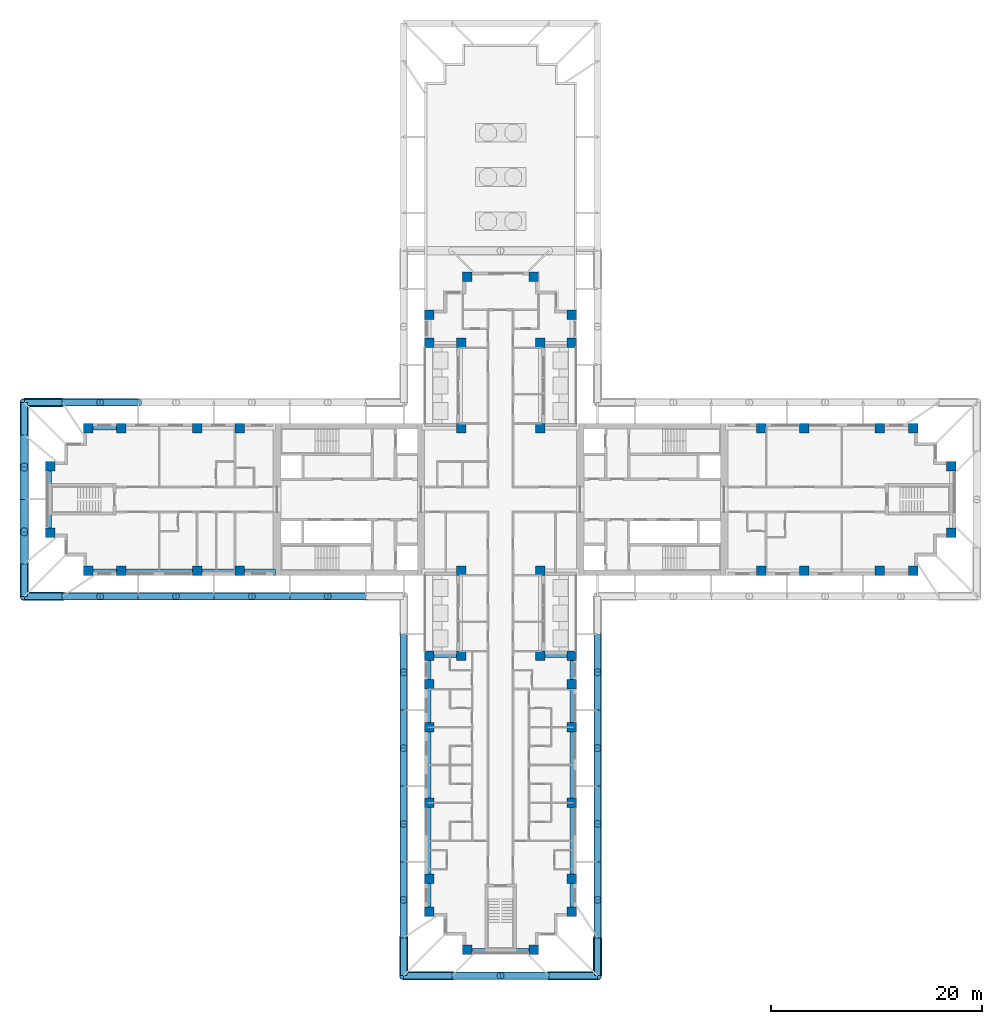
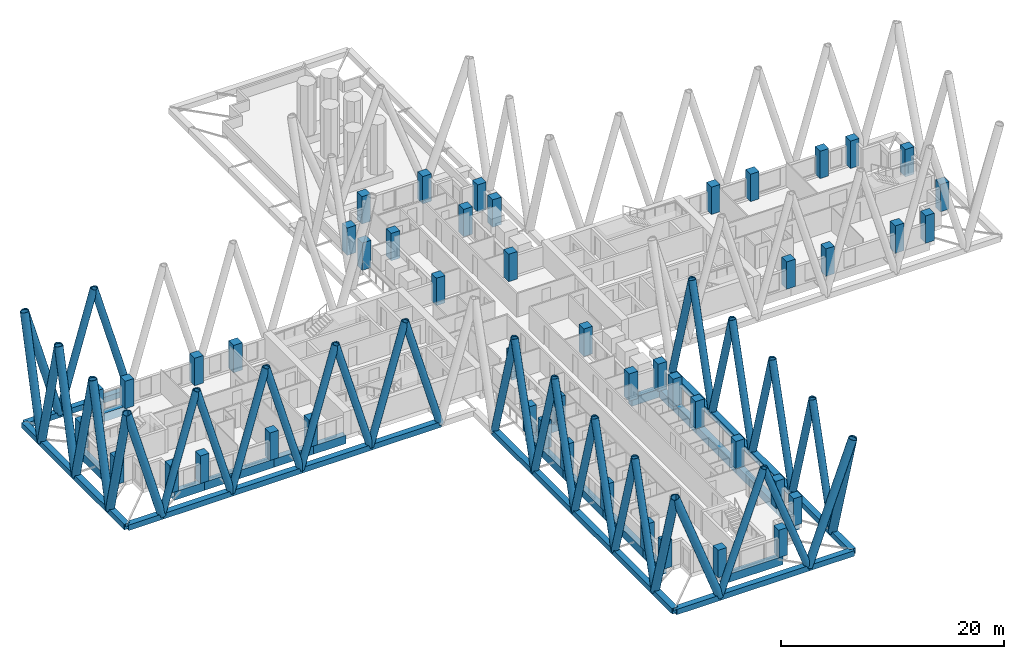
# One storey, part 1 of 16: 64 members, 48 columns, 19 beams.
"""IFC4 building model written with IfcOpenShell, lengths in metres."""

from ifc_helpers import new_model, si_unit, direction, frame, origin, origin_2d, place, context, subcontext, project, spatial, rectangle, hollow_rectangle, hollow_circle, extrude, material, material_profile, profile_set, type_object, element, save


model = new_model("IFC4")

# Units and contexts
model_context = context("Model", 3, precision=1e-05, world=origin(), true_north=direction((0.0, 1.0)))
body_context = subcontext(model_context, "Body", "Model", "MODEL_VIEW")
ifc_project = project(units=[si_unit("LENGTHUNIT", "METRE"), si_unit("AREAUNIT", "SQUARE_METRE"), si_unit("VOLUMEUNIT", "CUBIC_METRE"), si_unit("PLANEANGLEUNIT", "RADIAN"), si_unit("MASSUNIT", "GRAM", prefix="KILO")], contexts=[model_context])

# Site, building, storey
site_placement = place(None, origin())
site = spatial("IfcSite", under=ifc_project, at=site_placement, CompositionType="ELEMENT")
building_placement = place(site_placement, origin())
building = spatial("IfcBuilding", under=site, at=building_placement, Name="Fustian Cross Tower", CompositionType="ELEMENT")
storey_placement = place(building_placement, frame((0.0, 0.0, 66.89990234375)))
storey = spatial("IfcBuildingStorey", under=building, at=storey_placement, Name="L20", CompositionType="ELEMENT", Elevation=66.89990234375)

# Columns
ifc_material_1 = material(Name="Concrete C60/75", Category="concrete")
ifc_material_profile_1 = material_profile(ifc_material_1, rectangle(XDim=0.89990234375, YDim=0.89990234375, at=origin_2d()), Name="RC 900x900")
ifc_profile_set_1 = profile_set([ifc_material_profile_1], Name="Concrete C60/75")
column_type = type_object("IfcColumnType", Name="COLUMN RC 900x900 C60/75", PredefinedType="COLUMN", material=ifc_profile_set_1)
for number, where, z_axis, x_axis, name in (
    (1, (-42.75, -3.14990234375, 0.0), (0.0, 0.0, 1.0), (1.0, 0.0, 0.0), "COLUMN 001"),
    (2, (-42.75, 3.14990234375, 0.0), (0.0, 0.0, 1.0), (1.0, 0.0, 0.0), "COLUMN 002"),
    (3, (-39.14990234375, -6.75, 0.0), (0.0, 0.0, 1.0), (1.0, 0.0, 0.0), "COLUMN 003"),
    (4, (-39.14990234375, 6.75, 0.0), (0.0, 0.0, 1.0), (1.0, 0.0, 0.0), "COLUMN 004"),
    (5, (-36.0, -6.75, 0.0), (0.0, 0.0, 1.0), (1.0, 0.0, 0.0), "COLUMN 005"),
    (6, (-36.0, 6.75, 0.0), (0.0, 0.0, 1.0), (1.0, 0.0, 0.0), "COLUMN 006"),
    (7, (-28.800048828125, -6.75, 0.0), (0.0, 0.0, 1.0), (1.0, 0.0, 0.0), "COLUMN 007"),
    (8, (-28.800048828125, 6.75, 0.0), (0.0, 0.0, 1.0), (1.0, 0.0, 0.0), "COLUMN 010"),
    (9, (-24.75, -6.75, 0.0), (0.0, 0.0, 1.0), (1.0, 0.0, 0.0), "COLUMN 011"),
    (10, (-24.75, 6.75, 0.0), (0.0, 0.0, 1.0), (1.0, 0.0, 0.0), "COLUMN 012"),
    (11, (-6.75, -39.14990234375, 0.0), (0.0, 0.0, 1.0), (1.0, 0.0, 0.0), "COLUMN 013"),
    (12, (-6.75, -36.0, 0.0), (0.0, 0.0, 1.0), (1.0, 0.0, 0.0), "COLUMN 014"),
    (13, (-6.75, -28.800048828125, 0.0), (0.0, 0.0, 1.0), (1.0, 0.0, 0.0), "COLUMN 015"),
    (14, (-6.75, -21.60009765625, 0.0), (0.0, 0.0, 1.0), (1.0, 0.0, 0.0), "COLUMN 016"),
    (15, (-6.75, -17.550048828125, 0.0), (0.0, 0.0, 1.0), (1.0, 0.0, 0.0), "COLUMN 017"),
    (16, (-6.75, -14.85009765625, 0.0), (0.0, 0.0, 1.0), (1.0, 0.0, 0.0), "COLUMN 018"),
    (17, (-6.75, 14.85009765625, 0.0), (0.0, 0.0, 1.0), (1.0, 0.0, 0.0), "COLUMN 019"),
    (18, (-6.75, 17.550048828125, 0.0), (0.0, 0.0, 1.0), (1.0, 0.0, 0.0), "COLUMN 020"),
    (19, (-3.75, -14.85009765625, 0.0), (0.0, 0.0, 1.0), (1.0, 0.0, 0.0), "COLUMN 025"),
    (20, (-3.75, -6.75, 0.0), (0.0, 0.0, 1.0), (1.0, 0.0, 0.0), "COLUMN 026"),
    (21, (-3.75, 6.75, 0.0), (0.0, 0.0, 1.0), (1.0, 0.0, 0.0), "COLUMN 027"),
    (22, (-3.75, 14.85009765625, 0.0), (0.0, 0.0, 1.0), (1.0, 0.0, 0.0), "COLUMN 028"),
    (23, (-3.14990234375, -42.75, 0.0), (0.0, 0.0, 1.0), (1.0, 0.0, 0.0), "COLUMN 029"),
    (24, (-3.14990234375, 21.14990234375, 0.0), (0.0, 0.0, 1.0), (1.0, 0.0, 0.0), "COLUMN 031"),
    (25, (3.14990234375, -42.75, 0.0), (0.0, 0.0, 1.0), (1.0, 0.0, 0.0), "COLUMN 033"),
    (26, (3.14990234375, 21.14990234375, 0.0), (0.0, 0.0, 1.0), (1.0, 0.0, 0.0), "COLUMN 035"),
    (27, (3.75, -14.85009765625, 0.0), (0.0, 0.0, 1.0), (1.0, 0.0, 0.0), "COLUMN 037"),
    (28, (3.75, -6.75, 0.0), (0.0, 0.0, 1.0), (1.0, 0.0, 0.0), "COLUMN 038"),
    (29, (3.75, 6.75, 0.0), (0.0, 0.0, 1.0), (1.0, 0.0, 0.0), "COLUMN 039"),
    (30, (3.75, 14.85009765625, 0.0), (0.0, 0.0, 1.0), (1.0, 0.0, 0.0), "COLUMN 040"),
    (31, (6.75, -39.14990234375, 0.0), (0.0, 0.0, 1.0), (1.0, 0.0, 0.0), "COLUMN 041"),
    (32, (6.75, -36.0, 0.0), (0.0, 0.0, 1.0), (1.0, 0.0, 0.0), "COLUMN 042"),
    (33, (6.75, -28.800048828125, 0.0), (0.0, 0.0, 1.0), (1.0, 0.0, 0.0), "COLUMN 043"),
    (34, (6.75, -21.60009765625, 0.0), (0.0, 0.0, 1.0), (1.0, 0.0, 0.0), "COLUMN 044"),
    (35, (6.75, -17.550048828125, 0.0), (0.0, 0.0, 1.0), (1.0, 0.0, 0.0), "COLUMN 045"),
    (36, (6.75, -14.85009765625, 0.0), (0.0, 0.0, 1.0), (1.0, 0.0, 0.0), "COLUMN 046"),
    (37, (6.75, 14.85009765625, 0.0), (0.0, 0.0, 1.0), (1.0, 0.0, 0.0), "COLUMN 047"),
    (38, (6.75, 17.550048828125, 0.0), (0.0, 0.0, 1.0), (1.0, 0.0, 0.0), "COLUMN 048"),
    (39, (24.75, -6.75, 0.0), (0.0, 0.0, 1.0), (1.0, 0.0, 0.0), "COLUMN 053"),
    (40, (24.75, 6.75, 0.0), (0.0, 0.0, 1.0), (1.0, 0.0, 0.0), "COLUMN 054"),
    (41, (28.800048828125, -6.75, 0.0), (0.0, 0.0, 1.0), (1.0, 0.0, 0.0), "COLUMN 055"),
    (42, (28.800048828125, 6.75, 0.0), (0.0, 0.0, 1.0), (1.0, 0.0, 0.0), "COLUMN 058"),
    (43, (36.0, -6.75, 0.0), (0.0, 0.0, 1.0), (1.0, 0.0, 0.0), "COLUMN 059"),
    (44, (36.0, 6.75, 0.0), (0.0, 0.0, 1.0), (1.0, 0.0, 0.0), "COLUMN 060"),
    (45, (39.14990234375, -6.75, 0.0), (0.0, 0.0, 1.0), (1.0, 0.0, 0.0), "COLUMN 061"),
    (46, (39.14990234375, 6.75, 0.0), (0.0, 0.0, 1.0), (1.0, 0.0, 0.0), "COLUMN 062"),
    (47, (42.75, -3.14990234375, 0.0), (0.0, 0.0, 1.0), (1.0, 0.0, 0.0), "COLUMN 063"),
    (48, (42.75, 3.14990234375, 0.0), (0.0, 0.0, 1.0), (1.0, 0.0, 0.0), "COLUMN 064"),
):
    element("IfcColumn", number, at=place(storey_placement, frame(where, z_axis=z_axis, x_axis=x_axis)), inside=storey, type_object=column_type, Name=name, PredefinedType="COLUMN", context=body_context, shape_type="SweptSolid", body=[
        extrude(rectangle(XDim=0.89990234375, YDim=0.89990234375, at=origin_2d()), origin(), (0.0, 0.0, 1.0), 3.0),
    ])

# Members
ifc_material_2 = material(Name="Steel S355", Category="steel")
ifc_material_profile_2 = material_profile(ifc_material_2, hollow_circle(Radius=0.355712890625, WallThickness=0.031982421875, at=origin_2d()), Name="CHS 711x32")
ifc_profile_set_2 = profile_set([ifc_material_profile_2], Name="Steel S355")
member_type_1 = type_object("IfcMemberType", Name="DIAGRID DIAGONAL CHS 711x32", PredefinedType="BRACE", material=ifc_profile_set_2)
for number, where, z_axis, x_axis, name in (
    (49, (-34.39990234375, 9.199951171875, -0.39990234375), (-0.278819195264, 0.0, 0.960343613689), (0.0, -1.0, 0.0), "Diagrid diagonal W-N 08"),
    (50, (-41.60009765625, 9.199951171875, -0.39990234375), (0.278819195264, 0.0, 0.960343613689), (0.0, 1.0, 0.0), "Diagrid diagonal W-N 09"),
    (51, (-41.60009765625, -9.199951171875, -0.39990234375), (0.278819195264, 0.0, 0.960343613689), (0.0, 1.0, 0.0), "Diagrid diagonal W-S 02"),
    (52, (-34.39990234375, -9.199951171875, -0.39990234375), (-0.278819195264, 0.0, 0.960343613689), (0.0, -1.0, 0.0), "Diagrid diagonal W-S 03"),
    (53, (-34.39990234375, -9.199951171875, -0.39990234375), (0.278801756922, 0.0, 0.960348676438), (0.0, 1.0, 0.0), "Diagrid diagonal W-S 04"),
    (54, (-27.199951171875, -9.199951171875, -0.39990234375), (-0.278819195264, 0.0, 0.960343613689), (0.0, -1.0, 0.0), "Diagrid diagonal W-S 05"),
    (55, (-27.199951171875, -9.199951171875, -0.39990234375), (0.278801756922, 0.0, 0.960348676438), (0.0, 1.0, 0.0), "Diagrid diagonal W-S 06"),
    (56, (-20.0, -9.199951171875, -0.39990234375), (-0.278819195264, 0.0, 0.960343613689), (0.0, -1.0, 0.0), "Diagrid diagonal W-S 07"),
    (57, (-20.0, -9.199951171875, -0.39990234375), (0.278819195264, 0.0, 0.960343613689), (0.0, 1.0, 0.0), "Diagrid diagonal W-S 08"),
    (58, (-12.800048828125, -9.199951171875, -0.39990234375), (-0.278801756922, 0.0, 0.960348676438), (0.0, -1.0, 0.0), "Diagrid diagonal W-S 09"),
    (59, (-9.199951171875, -12.800048828125, -0.39990234375), (0.0, -0.278801756922, 0.960348676438), (1.0, 0.0, 0.0), "Diagrid diagonal S-W 02"),
    (60, (-9.199951171875, -20.0, -0.39990234375), (0.0, 0.278819195264, 0.960343613689), (-1.0, 0.0, 0.0), "Diagrid diagonal S-W 03"),
    (61, (-9.199951171875, -20.0, -0.39990234375), (0.0, -0.278819195264, 0.960343613689), (1.0, 0.0, 0.0), "Diagrid diagonal S-W 04"),
    (62, (-9.199951171875, -27.199951171875, -0.39990234375), (0.0, 0.278801756922, 0.960348676438), (-1.0, 0.0, 0.0), "Diagrid diagonal S-W 05"),
    (63, (-9.199951171875, -27.199951171875, -0.39990234375), (0.0, -0.278819195264, 0.960343613689), (1.0, 0.0, 0.0), "Diagrid diagonal S-W 06"),
    (64, (-9.199951171875, -34.39990234375, -0.39990234375), (0.0, 0.278801756922, 0.960348676438), (-1.0, 0.0, 0.0), "Diagrid diagonal S-W 07"),
    (65, (-9.199951171875, -34.39990234375, -0.39990234375), (0.0, -0.278819195264, 0.960343613689), (1.0, 0.0, 0.0), "Diagrid diagonal S-W 08"),
    (66, (-9.199951171875, -41.60009765625, -0.39990234375), (0.0, 0.278819195264, 0.960343613689), (-1.0, 0.0, 0.0), "Diagrid diagonal S-W 09"),
):
    element("IfcMember", number, at=place(storey_placement, frame(where, z_axis=z_axis, x_axis=x_axis)), inside=storey, type_object=member_type_1, Name=name, PredefinedType="BRACE", context=body_context, shape_type="SweptSolid", body=[
        extrude(hollow_circle(Radius=0.355712890625, WallThickness=0.031982421875, at=origin_2d()), origin(), (0.0, 0.0, 1.0), 12.911865234375),
    ])
for number, where, z_axis, x_axis, name in (
    (67, (-4.60009765625, -45.199951171875, -0.39990234375), (0.347815721372, 0.0, 0.937562917338), (0.0, 1.0, 0.0), "Diagrid diagonal S-end 02"),
    (68, (4.60009765625, -45.199951171875, -0.39990234375), (-0.347815721372, 0.0, 0.937562917338), (0.0, -1.0, 0.0), "Diagrid diagonal S-end 03"),
):
    element("IfcMember", number, at=place(storey_placement, frame(where, z_axis=z_axis, x_axis=x_axis)), inside=storey, type_object=member_type_1, Name=name, PredefinedType="BRACE", context=body_context, shape_type="SweptSolid", body=[
        extrude(hollow_circle(Radius=0.355712890625, WallThickness=0.031982421875, at=origin_2d()), origin(), (0.0, 0.0, 1.0), 13.2255859375),
    ])
for number, where, z_axis, x_axis, name in (
    (69, (9.199951171875, -41.60009765625, -0.39990234375), (0.0, 0.278819195264, 0.960343613689), (-1.0, 0.0, 0.0), "Diagrid diagonal S-E 02"),
    (70, (9.199951171875, -34.39990234375, -0.39990234375), (0.0, -0.278819195264, 0.960343613689), (1.0, 0.0, 0.0), "Diagrid diagonal S-E 03"),
    (71, (9.199951171875, -34.39990234375, -0.39990234375), (0.0, 0.278801756922, 0.960348676438), (-1.0, 0.0, 0.0), "Diagrid diagonal S-E 04"),
    (72, (9.199951171875, -27.199951171875, -0.39990234375), (0.0, -0.278819195264, 0.960343613689), (1.0, 0.0, 0.0), "Diagrid diagonal S-E 05"),
    (73, (9.199951171875, -27.199951171875, -0.39990234375), (0.0, 0.278801756922, 0.960348676438), (-1.0, 0.0, 0.0), "Diagrid diagonal S-E 06"),
    (74, (9.199951171875, -20.0, -0.39990234375), (0.0, -0.278819195264, 0.960343613689), (1.0, 0.0, 0.0), "Diagrid diagonal S-E 07"),
    (75, (9.199951171875, -20.0, -0.39990234375), (0.0, 0.278819195264, 0.960343613689), (-1.0, 0.0, 0.0), "Diagrid diagonal S-E 08"),
    (76, (9.199951171875, -12.800048828125, -0.39990234375), (0.0, -0.278801756922, 0.960348676438), (1.0, 0.0, 0.0), "Diagrid diagonal S-E 09"),
):
    element("IfcMember", number, at=place(storey_placement, frame(where, z_axis=z_axis, x_axis=x_axis)), inside=storey, type_object=member_type_1, Name=name, PredefinedType="BRACE", context=body_context, shape_type="SweptSolid", body=[
        extrude(hollow_circle(Radius=0.355712890625, WallThickness=0.031982421875, at=origin_2d()), origin(), (0.0, 0.0, 1.0), 12.911865234375),
    ])
ifc_material_3 = material(Name="Steel S355", Category="steel")
ifc_material_profile_3 = material_profile(ifc_material_3, hollow_circle(Radius=0.406494140625, WallThickness=0.0400390625, at=origin_2d()), Name="CHS 813x40")
ifc_profile_set_3 = profile_set([ifc_material_profile_3], Name="Steel S355")
member_type_2 = type_object("IfcMemberType", Name="DIAGRID DIAGONAL CHS 813x40", PredefinedType="BRACE", material=ifc_profile_set_3)
member_1_placement = place(storey_placement, frame((-41.60009765625, 9.199951171875, -0.39990234375), z_axis=(-0.278801756922, 0.0, 0.960348676438), x_axis=(0.0, -1.0, 0.0)))
element("IfcMember", 77, at=member_1_placement, inside=storey, type_object=member_type_2, Name="Diagrid diagonal W-N 10", PredefinedType="BRACE", context=body_context, shape_type="SweptSolid", body=[
    extrude(hollow_circle(Radius=0.406494140625, WallThickness=0.0400390625, at=origin_2d()), origin(), (0.0, 0.0, 1.0), 12.911865234375),
])
for number, where, z_axis, x_axis, name in (
    (78, (-45.199951171875, 6.13330078125, -0.39990234375), (0.0, 0.240079379729, 0.970753259808), (-1.0, 0.0, 0.0), "Diagrid diagonal W-end 01"),
    (79, (-45.199951171875, 6.13330078125, -0.39990234375), (0.0, -0.240079379729, 0.970753259808), (1.0, 0.0, 0.0), "Diagrid diagonal W-end 02"),
    (80, (-45.199951171875, 0.0, -0.39990234375), (0.0, 0.240079379729, 0.970753259808), (-1.0, 0.0, 0.0), "Diagrid diagonal W-end 03"),
    (81, (-45.199951171875, 0.0, -0.39990234375), (0.0, -0.240079379729, 0.970753259808), (1.0, 0.0, 0.0), "Diagrid diagonal W-end 04"),
    (82, (-45.199951171875, -6.13330078125, -0.39990234375), (0.0, 0.240079379729, 0.970753259808), (-1.0, 0.0, 0.0), "Diagrid diagonal W-end 05"),
    (83, (-45.199951171875, -6.13330078125, -0.39990234375), (0.0, -0.240079379729, 0.970753259808), (1.0, 0.0, 0.0), "Diagrid diagonal W-end 06"),
):
    element("IfcMember", number, at=place(storey_placement, frame(where, z_axis=z_axis, x_axis=x_axis)), inside=storey, type_object=member_type_2, Name=name, PredefinedType="BRACE", context=body_context, shape_type="SweptSolid", body=[
        extrude(hollow_circle(Radius=0.406494140625, WallThickness=0.0400390625, at=origin_2d()), origin(), (0.0, 0.0, 1.0), 12.7734375),
    ])
for number, where, z_axis, x_axis, name in (
    (84, (-41.60009765625, -9.199951171875, -0.39990234375), (-0.278801756922, 0.0, 0.960348676438), (0.0, -1.0, 0.0), "Diagrid diagonal W-S 01"),
    (85, (-9.199951171875, -41.60009765625, -0.39990234375), (0.0, -0.278801756922, 0.960348676438), (1.0, 0.0, 0.0), "Diagrid diagonal S-W 10"),
):
    element("IfcMember", number, at=place(storey_placement, frame(where, z_axis=z_axis, x_axis=x_axis)), inside=storey, type_object=member_type_2, Name=name, PredefinedType="BRACE", context=body_context, shape_type="SweptSolid", body=[
        extrude(hollow_circle(Radius=0.406494140625, WallThickness=0.0400390625, at=origin_2d()), origin(), (0.0, 0.0, 1.0), 12.911865234375),
    ])
for number, where, z_axis, x_axis, name in (
    (86, (-4.60009765625, -45.199951171875, -0.39990234375), (-0.347799494783, 0.0, 0.937568936894), (0.0, -1.0, 0.0), "Diagrid diagonal S-end 01"),
    (87, (4.60009765625, -45.199951171875, -0.39990234375), (0.347799494783, 0.0, 0.937568936894), (0.0, 1.0, 0.0), "Diagrid diagonal S-end 04"),
):
    element("IfcMember", number, at=place(storey_placement, frame(where, z_axis=z_axis, x_axis=x_axis)), inside=storey, type_object=member_type_2, Name=name, PredefinedType="BRACE", context=body_context, shape_type="SweptSolid", body=[
        extrude(hollow_circle(Radius=0.406494140625, WallThickness=0.0400390625, at=origin_2d()), origin(), (0.0, 0.0, 1.0), 13.2255859375),
    ])
member_2_placement = place(storey_placement, frame((9.199951171875, -41.60009765625, -0.39990234375), z_axis=(0.0, -0.278801756922, 0.960348676438), x_axis=(1.0, 0.0, 0.0)))
element("IfcMember", 88, at=member_2_placement, inside=storey, type_object=member_type_2, Name="Diagrid diagonal S-E 01", PredefinedType="BRACE", context=body_context, shape_type="SweptSolid", body=[
    extrude(hollow_circle(Radius=0.406494140625, WallThickness=0.0400390625, at=origin_2d()), origin(), (0.0, 0.0, 1.0), 12.911865234375),
])
ifc_material_4 = material(Name="Steel S355", Category="steel")
ifc_material_profile_4 = material_profile(ifc_material_4, hollow_rectangle(XDim=0.60009765625, YDim=0.60009765625, WallThickness=0.030029296875, at=origin_2d()), Name="RHS 600x600x30")
ifc_profile_set_4 = profile_set([ifc_material_profile_4], Name="Steel S355")
member_type_3 = type_object("IfcMemberType", Name="DIAGRID RING RHS 600x600x30", PredefinedType="MEMBER", material=ifc_profile_set_4)
member_3_placement = place(storey_placement, frame((-34.39990234375, 9.199951171875, -0.39990234375), z_axis=(-1.0, 0.0, 0.0), x_axis=(0.0, -1.0, 0.0)))
element("IfcMember", 89, at=member_3_placement, inside=storey, type_object=member_type_3, Name="Diagrid ring L20-31 L20-32", PredefinedType="MEMBER", context=body_context, shape_type="SweptSolid", body=[
    extrude(hollow_rectangle(XDim=0.60009765625, YDim=0.60009765625, WallThickness=0.030029296875, at=origin_2d()), origin(), (0.0, 0.0, 1.0), 7.2001953125),
])
member_4_placement = place(storey_placement, frame((-41.60009765625, 9.199951171875, -0.39990234375), z_axis=(-1.0, 0.0, 0.0), x_axis=(0.0, -1.0, 0.0)))
element("IfcMember", 90, at=member_4_placement, inside=storey, type_object=member_type_3, Name="Diagrid ring L20-32 L20-33", PredefinedType="MEMBER", context=body_context, shape_type="SweptSolid", body=[
    extrude(hollow_rectangle(XDim=0.60009765625, YDim=0.60009765625, WallThickness=0.030029296875, at=origin_2d()), origin(), (0.0, 0.0, 1.0), 3.599853515625),
])
member_5_placement = place(storey_placement, frame((-45.199951171875, 9.199951171875, -0.39990234375), z_axis=(0.0, -1.0, 0.0), x_axis=(1.0, 0.0, 0.0)))
element("IfcMember", 91, at=member_5_placement, inside=storey, type_object=member_type_3, Name="Diagrid ring L20-33 L20-34", PredefinedType="MEMBER", context=body_context, shape_type="SweptSolid", body=[
    extrude(hollow_rectangle(XDim=0.60009765625, YDim=0.60009765625, WallThickness=0.030029296875, at=origin_2d()), origin(), (0.0, 0.0, 1.0), 3.066650390625),
])
for number, where, z_axis, x_axis, name in (
    (92, (-45.199951171875, 6.13330078125, -0.39990234375), (0.0, -1.0, 0.0), (1.0, 0.0, 0.0), "Diagrid ring L20-34 L20-35"),
    (93, (-45.199951171875, 0.0, -0.39990234375), (0.0, -1.0, 0.0), (1.0, 0.0, 0.0), "Diagrid ring L20-35 L20-36"),
):
    element("IfcMember", number, at=place(storey_placement, frame(where, z_axis=z_axis, x_axis=x_axis)), inside=storey, type_object=member_type_3, Name=name, PredefinedType="MEMBER", context=body_context, shape_type="SweptSolid", body=[
        extrude(hollow_rectangle(XDim=0.60009765625, YDim=0.60009765625, WallThickness=0.030029296875, at=origin_2d()), origin(), (0.0, 0.0, 1.0), 6.13330078125),
    ])
member_6_placement = place(storey_placement, frame((-45.199951171875, -6.13330078125, -0.39990234375), z_axis=(0.0, -1.0, 0.0), x_axis=(1.0, 0.0, 0.0)))
element("IfcMember", 94, at=member_6_placement, inside=storey, type_object=member_type_3, Name="Diagrid ring L20-36 L20-37", PredefinedType="MEMBER", context=body_context, shape_type="SweptSolid", body=[
    extrude(hollow_rectangle(XDim=0.60009765625, YDim=0.60009765625, WallThickness=0.030029296875, at=origin_2d()), origin(), (0.0, 0.0, 1.0), 3.066650390625),
])
member_7_placement = place(storey_placement, frame((-45.199951171875, -9.199951171875, -0.39990234375), z_axis=(1.0, 0.0, 0.0), x_axis=(0.0, 1.0, 0.0)))
element("IfcMember", 95, at=member_7_placement, inside=storey, type_object=member_type_3, Name="Diagrid ring L20-37 L20-38", PredefinedType="MEMBER", context=body_context, shape_type="SweptSolid", body=[
    extrude(hollow_rectangle(XDim=0.60009765625, YDim=0.60009765625, WallThickness=0.030029296875, at=origin_2d()), origin(), (0.0, 0.0, 1.0), 3.599853515625),
])
member_8_placement = place(storey_placement, frame((-41.60009765625, -9.199951171875, -0.39990234375), z_axis=(1.0, 0.0, 0.0), x_axis=(0.0, 1.0, 0.0)))
element("IfcMember", 96, at=member_8_placement, inside=storey, type_object=member_type_3, Name="Diagrid ring L20-38 L20-39", PredefinedType="MEMBER", context=body_context, shape_type="SweptSolid", body=[
    extrude(hollow_rectangle(XDim=0.60009765625, YDim=0.60009765625, WallThickness=0.030029296875, at=origin_2d()), origin(), (0.0, 0.0, 1.0), 7.2001953125),
])
for number, where, z_axis, x_axis, name in (
    (97, (-34.39990234375, -9.199951171875, -0.39990234375), (1.0, 0.0, 0.0), (0.0, 1.0, 0.0), "Diagrid ring L20-39 L20-40"),
    (98, (-27.199951171875, -9.199951171875, -0.39990234375), (1.0, 0.0, 0.0), (0.0, 1.0, 0.0), "Diagrid ring L20-40 L20-41"),
    (99, (-20.0, -9.199951171875, -0.39990234375), (1.0, 0.0, 0.0), (0.0, 1.0, 0.0), "Diagrid ring L20-41 L20-42"),
    (100, (-9.199951171875, -12.800048828125, -0.39990234375), (0.0, -1.0, 0.0), (1.0, 0.0, 0.0), "Diagrid ring L20-44 L20-45"),
    (101, (-9.199951171875, -20.0, -0.39990234375), (0.0, -1.0, 0.0), (1.0, 0.0, 0.0), "Diagrid ring L20-45 L20-46"),
    (102, (-9.199951171875, -27.199951171875, -0.39990234375), (0.0, -1.0, 0.0), (1.0, 0.0, 0.0), "Diagrid ring L20-46 L20-47"),
):
    element("IfcMember", number, at=place(storey_placement, frame(where, z_axis=z_axis, x_axis=x_axis)), inside=storey, type_object=member_type_3, Name=name, PredefinedType="MEMBER", context=body_context, shape_type="SweptSolid", body=[
        extrude(hollow_rectangle(XDim=0.60009765625, YDim=0.60009765625, WallThickness=0.030029296875, at=origin_2d()), origin(), (0.0, 0.0, 1.0), 7.199951171875),
    ])
member_9_placement = place(storey_placement, frame((-9.199951171875, -34.39990234375, -0.39990234375), z_axis=(0.0, -1.0, 0.0), x_axis=(1.0, 0.0, 0.0)))
element("IfcMember", 103, at=member_9_placement, inside=storey, type_object=member_type_3, Name="Diagrid ring L20-47 L20-48", PredefinedType="MEMBER", context=body_context, shape_type="SweptSolid", body=[
    extrude(hollow_rectangle(XDim=0.60009765625, YDim=0.60009765625, WallThickness=0.030029296875, at=origin_2d()), origin(), (0.0, 0.0, 1.0), 7.2001953125),
])
member_10_placement = place(storey_placement, frame((-9.199951171875, -41.60009765625, -0.39990234375), z_axis=(0.0, -1.0, 0.0), x_axis=(1.0, 0.0, 0.0)))
element("IfcMember", 104, at=member_10_placement, inside=storey, type_object=member_type_3, Name="Diagrid ring L20-48 L20-49", PredefinedType="MEMBER", context=body_context, shape_type="SweptSolid", body=[
    extrude(hollow_rectangle(XDim=0.60009765625, YDim=0.60009765625, WallThickness=0.030029296875, at=origin_2d()), origin(), (0.0, 0.0, 1.0), 3.599853515625),
])
member_11_placement = place(storey_placement, frame((-9.199951171875, -45.199951171875, -0.39990234375), z_axis=(1.0, 0.0, 0.0), x_axis=(0.0, 1.0, 0.0)))
element("IfcMember", 105, at=member_11_placement, inside=storey, type_object=member_type_3, Name="Diagrid ring L20-49 L20-50", PredefinedType="MEMBER", context=body_context, shape_type="SweptSolid", body=[
    extrude(hollow_rectangle(XDim=0.60009765625, YDim=0.60009765625, WallThickness=0.030029296875, at=origin_2d()), origin(), (0.0, 0.0, 1.0), 4.599853515625),
])
member_12_placement = place(storey_placement, frame((-4.60009765625, -45.199951171875, -0.39990234375), z_axis=(1.0, 0.0, 0.0), x_axis=(0.0, 1.0, 0.0)))
element("IfcMember", 106, at=member_12_placement, inside=storey, type_object=member_type_3, Name="Diagrid ring L20-50 L20-51", PredefinedType="MEMBER", context=body_context, shape_type="SweptSolid", body=[
    extrude(hollow_rectangle(XDim=0.60009765625, YDim=0.60009765625, WallThickness=0.030029296875, at=origin_2d()), origin(), (0.0, 0.0, 1.0), 9.2001953125),
])
member_13_placement = place(storey_placement, frame((4.60009765625, -45.199951171875, -0.39990234375), z_axis=(1.0, 0.0, 0.0), x_axis=(0.0, 1.0, 0.0)))
element("IfcMember", 107, at=member_13_placement, inside=storey, type_object=member_type_3, Name="Diagrid ring L20-51 L20-52", PredefinedType="MEMBER", context=body_context, shape_type="SweptSolid", body=[
    extrude(hollow_rectangle(XDim=0.60009765625, YDim=0.60009765625, WallThickness=0.030029296875, at=origin_2d()), origin(), (0.0, 0.0, 1.0), 4.599853515625),
])
member_14_placement = place(storey_placement, frame((9.199951171875, -45.199951171875, -0.39990234375), z_axis=(0.0, 1.0, 0.0), x_axis=(-1.0, 0.0, 0.0)))
element("IfcMember", 108, at=member_14_placement, inside=storey, type_object=member_type_3, Name="Diagrid ring L20-52 L20-53", PredefinedType="MEMBER", context=body_context, shape_type="SweptSolid", body=[
    extrude(hollow_rectangle(XDim=0.60009765625, YDim=0.60009765625, WallThickness=0.030029296875, at=origin_2d()), origin(), (0.0, 0.0, 1.0), 3.599853515625),
])
member_15_placement = place(storey_placement, frame((9.199951171875, -41.60009765625, -0.39990234375), z_axis=(0.0, 1.0, 0.0), x_axis=(-1.0, 0.0, 0.0)))
element("IfcMember", 109, at=member_15_placement, inside=storey, type_object=member_type_3, Name="Diagrid ring L20-53 L20-54", PredefinedType="MEMBER", context=body_context, shape_type="SweptSolid", body=[
    extrude(hollow_rectangle(XDim=0.60009765625, YDim=0.60009765625, WallThickness=0.030029296875, at=origin_2d()), origin(), (0.0, 0.0, 1.0), 7.2001953125),
])
for number, where, z_axis, x_axis, name in (
    (110, (9.199951171875, -34.39990234375, -0.39990234375), (0.0, 1.0, 0.0), (-1.0, 0.0, 0.0), "Diagrid ring L20-54 L20-55"),
    (111, (9.199951171875, -27.199951171875, -0.39990234375), (0.0, 1.0, 0.0), (-1.0, 0.0, 0.0), "Diagrid ring L20-55 L20-56"),
    (112, (9.199951171875, -20.0, -0.39990234375), (0.0, 1.0, 0.0), (-1.0, 0.0, 0.0), "Diagrid ring L20-56 L20-57"),
):
    element("IfcMember", number, at=place(storey_placement, frame(where, z_axis=z_axis, x_axis=x_axis)), inside=storey, type_object=member_type_3, Name=name, PredefinedType="MEMBER", context=body_context, shape_type="SweptSolid", body=[
        extrude(hollow_rectangle(XDim=0.60009765625, YDim=0.60009765625, WallThickness=0.030029296875, at=origin_2d()), origin(), (0.0, 0.0, 1.0), 7.199951171875),
    ])

# Beams
ifc_material_5 = material(Name="Concrete C50/60", Category="concrete")
ifc_material_profile_5 = material_profile(ifc_material_5, rectangle(XDim=0.60009765625, YDim=0.89990234375, at=origin_2d()), Name="RC 600x900")
ifc_profile_set_5 = profile_set([ifc_material_profile_5], Name="Concrete C50/60")
beam_type = type_object("IfcBeamType", Name="EDGE BEAM RC 600x900 C50/60", PredefinedType="SPANDREL", material=ifc_profile_set_5)
beam_1_placement = place(storey_placement, frame((-36.0, 6.89990234375, -0.449951171875), z_axis=(-1.0, 0.0, 0.0), x_axis=(0.0, -1.0, 0.0)))
element("IfcBeam", 113, at=beam_1_placement, inside=storey, type_object=beam_type, Name="EDGE BEAM L20-21", PredefinedType="SPANDREL", context=body_context, shape_type="SweptSolid", body=[
    extrude(rectangle(XDim=0.60009765625, YDim=0.89990234375, at=origin_2d()), origin(), (0.0, 0.0, 1.0), 3.14990234375),
])
beam_2_placement = place(storey_placement, frame((-42.89990234375, 3.14990234375, -0.449951171875), z_axis=(0.0, -1.0, 0.0), x_axis=(1.0, 0.0, 0.0)))
element("IfcBeam", 114, at=beam_2_placement, inside=storey, type_object=beam_type, Name="EDGE BEAM L20-22", PredefinedType="SPANDREL", context=body_context, shape_type="SweptSolid", body=[
    extrude(rectangle(XDim=0.60009765625, YDim=0.89990234375, at=origin_2d()), origin(), (0.0, 0.0, 1.0), 6.2998046875),
])
beam_3_placement = place(storey_placement, frame((-39.14990234375, -6.89990234375, -0.449951171875), z_axis=(1.0, 0.0, 0.0), x_axis=(0.0, 1.0, 0.0)))
element("IfcBeam", 115, at=beam_3_placement, inside=storey, type_object=beam_type, Name="EDGE BEAM L20-23", PredefinedType="SPANDREL", context=body_context, shape_type="SweptSolid", body=[
    extrude(rectangle(XDim=0.60009765625, YDim=0.89990234375, at=origin_2d()), origin(), (0.0, 0.0, 1.0), 3.14990234375),
])
beam_4_placement = place(storey_placement, frame((-36.0, -6.89990234375, -0.449951171875), z_axis=(1.0, 0.0, 0.0), x_axis=(0.0, 1.0, 0.0)))
element("IfcBeam", 116, at=beam_4_placement, inside=storey, type_object=beam_type, Name="EDGE BEAM L20-24", PredefinedType="SPANDREL", context=body_context, shape_type="SweptSolid", body=[
    extrude(rectangle(XDim=0.60009765625, YDim=0.89990234375, at=origin_2d()), origin(), (0.0, 0.0, 1.0), 7.199951171875),
])
beam_5_placement = place(storey_placement, frame((-28.800048828125, -6.89990234375, -0.449951171875), z_axis=(1.0, 0.0, 0.0), x_axis=(0.0, 1.0, 0.0)))
element("IfcBeam", 117, at=beam_5_placement, inside=storey, type_object=beam_type, Name="EDGE BEAM L20-25", PredefinedType="SPANDREL", context=body_context, shape_type="SweptSolid", body=[
    extrude(rectangle(XDim=0.60009765625, YDim=0.89990234375, at=origin_2d()), origin(), (0.0, 0.0, 1.0), 4.050048828125),
])
beam_6_placement = place(storey_placement, frame((-24.75, -6.89990234375, -0.449951171875), z_axis=(1.0, 0.0, 0.0), x_axis=(0.0, 1.0, 0.0)))
element("IfcBeam", 118, at=beam_6_placement, inside=storey, type_object=beam_type, Name="EDGE BEAM L20-26", PredefinedType="SPANDREL", context=body_context, shape_type="SweptSolid", body=[
    extrude(rectangle(XDim=0.60009765625, YDim=0.89990234375, at=origin_2d()), origin(), (0.0, 0.0, 1.0), 3.39990234375),
])
beam_7_placement = place(storey_placement, frame((-3.75, -14.699951171875, -0.449951171875), z_axis=(-1.0, 0.0, 0.0), x_axis=(0.0, -1.0, 0.0)))
element("IfcBeam", 119, at=beam_7_placement, inside=storey, type_object=beam_type, Name="EDGE BEAM L20-29", PredefinedType="SPANDREL", context=body_context, shape_type="SweptSolid", body=[
    extrude(rectangle(XDim=0.60009765625, YDim=0.89990234375, at=origin_2d()), origin(), (0.0, 0.0, 1.0), 3.0),
])
beam_8_placement = place(storey_placement, frame((-6.89990234375, -14.85009765625, -0.449951171875), z_axis=(0.0, -1.0, 0.0), x_axis=(1.0, 0.0, 0.0)))
element("IfcBeam", 120, at=beam_8_placement, inside=storey, type_object=beam_type, Name="EDGE BEAM L20-30", PredefinedType="SPANDREL", context=body_context, shape_type="SweptSolid", body=[
    extrude(rectangle(XDim=0.60009765625, YDim=0.89990234375, at=origin_2d()), origin(), (0.0, 0.0, 1.0), 2.699951171875),
])
beam_9_placement = place(storey_placement, frame((-6.89990234375, -17.550048828125, -0.449951171875), z_axis=(0.0, -1.0, 0.0), x_axis=(1.0, 0.0, 0.0)))
element("IfcBeam", 121, at=beam_9_placement, inside=storey, type_object=beam_type, Name="EDGE BEAM L20-31", PredefinedType="SPANDREL", context=body_context, shape_type="SweptSolid", body=[
    extrude(rectangle(XDim=0.60009765625, YDim=0.89990234375, at=origin_2d()), origin(), (0.0, 0.0, 1.0), 4.050048828125),
])
for number, where, z_axis, x_axis, name in (
    (122, (-6.89990234375, -21.60009765625, -0.449951171875), (0.0, -1.0, 0.0), (1.0, 0.0, 0.0), "EDGE BEAM L20-32"),
    (123, (-6.89990234375, -28.800048828125, -0.449951171875), (0.0, -1.0, 0.0), (1.0, 0.0, 0.0), "EDGE BEAM L20-33"),
):
    element("IfcBeam", number, at=place(storey_placement, frame(where, z_axis=z_axis, x_axis=x_axis)), inside=storey, type_object=beam_type, Name=name, PredefinedType="SPANDREL", context=body_context, shape_type="SweptSolid", body=[
        extrude(rectangle(XDim=0.60009765625, YDim=0.89990234375, at=origin_2d()), origin(), (0.0, 0.0, 1.0), 7.199951171875),
    ])
beam_10_placement = place(storey_placement, frame((-6.89990234375, -36.0, -0.449951171875), z_axis=(0.0, -1.0, 0.0), x_axis=(1.0, 0.0, 0.0)))
element("IfcBeam", 124, at=beam_10_placement, inside=storey, type_object=beam_type, Name="EDGE BEAM L20-34", PredefinedType="SPANDREL", context=body_context, shape_type="SweptSolid", body=[
    extrude(rectangle(XDim=0.60009765625, YDim=0.89990234375, at=origin_2d()), origin(), (0.0, 0.0, 1.0), 3.14990234375),
])
beam_11_placement = place(storey_placement, frame((-3.14990234375, -42.89990234375, -0.449951171875), z_axis=(1.0, 0.0, 0.0), x_axis=(0.0, 1.0, 0.0)))
element("IfcBeam", 125, at=beam_11_placement, inside=storey, type_object=beam_type, Name="EDGE BEAM L20-35", PredefinedType="SPANDREL", context=body_context, shape_type="SweptSolid", body=[
    extrude(rectangle(XDim=0.60009765625, YDim=0.89990234375, at=origin_2d()), origin(), (0.0, 0.0, 1.0), 6.2998046875),
])
beam_12_placement = place(storey_placement, frame((6.89990234375, -39.14990234375, -0.449951171875), z_axis=(0.0, 1.0, 0.0), x_axis=(-1.0, 0.0, 0.0)))
element("IfcBeam", 126, at=beam_12_placement, inside=storey, type_object=beam_type, Name="EDGE BEAM L20-36", PredefinedType="SPANDREL", context=body_context, shape_type="SweptSolid", body=[
    extrude(rectangle(XDim=0.60009765625, YDim=0.89990234375, at=origin_2d()), origin(), (0.0, 0.0, 1.0), 3.14990234375),
])
for number, where, z_axis, x_axis, name in (
    (127, (6.89990234375, -36.0, -0.449951171875), (0.0, 1.0, 0.0), (-1.0, 0.0, 0.0), "EDGE BEAM L20-37"),
    (128, (6.89990234375, -28.800048828125, -0.449951171875), (0.0, 1.0, 0.0), (-1.0, 0.0, 0.0), "EDGE BEAM L20-38"),
):
    element("IfcBeam", number, at=place(storey_placement, frame(where, z_axis=z_axis, x_axis=x_axis)), inside=storey, type_object=beam_type, Name=name, PredefinedType="SPANDREL", context=body_context, shape_type="SweptSolid", body=[
        extrude(rectangle(XDim=0.60009765625, YDim=0.89990234375, at=origin_2d()), origin(), (0.0, 0.0, 1.0), 7.199951171875),
    ])
beam_13_placement = place(storey_placement, frame((6.89990234375, -21.60009765625, -0.449951171875), z_axis=(0.0, 1.0, 0.0), x_axis=(-1.0, 0.0, 0.0)))
element("IfcBeam", 129, at=beam_13_placement, inside=storey, type_object=beam_type, Name="EDGE BEAM L20-39", PredefinedType="SPANDREL", context=body_context, shape_type="SweptSolid", body=[
    extrude(rectangle(XDim=0.60009765625, YDim=0.89990234375, at=origin_2d()), origin(), (0.0, 0.0, 1.0), 4.050048828125),
])
beam_14_placement = place(storey_placement, frame((6.89990234375, -17.550048828125, -0.449951171875), z_axis=(0.0, 1.0, 0.0), x_axis=(-1.0, 0.0, 0.0)))
element("IfcBeam", 130, at=beam_14_placement, inside=storey, type_object=beam_type, Name="EDGE BEAM L20-40", PredefinedType="SPANDREL", context=body_context, shape_type="SweptSolid", body=[
    extrude(rectangle(XDim=0.60009765625, YDim=0.89990234375, at=origin_2d()), origin(), (0.0, 0.0, 1.0), 2.699951171875),
])
beam_15_placement = place(storey_placement, frame((6.75, -14.699951171875, -0.449951171875), z_axis=(-1.0, 0.0, 0.0), x_axis=(0.0, -1.0, 0.0)))
element("IfcBeam", 131, at=beam_15_placement, inside=storey, type_object=beam_type, Name="EDGE BEAM L20-41", PredefinedType="SPANDREL", context=body_context, shape_type="SweptSolid", body=[
    extrude(rectangle(XDim=0.60009765625, YDim=0.89990234375, at=origin_2d()), origin(), (0.0, 0.0, 1.0), 3.0),
])

save(model, "model.ifc")
